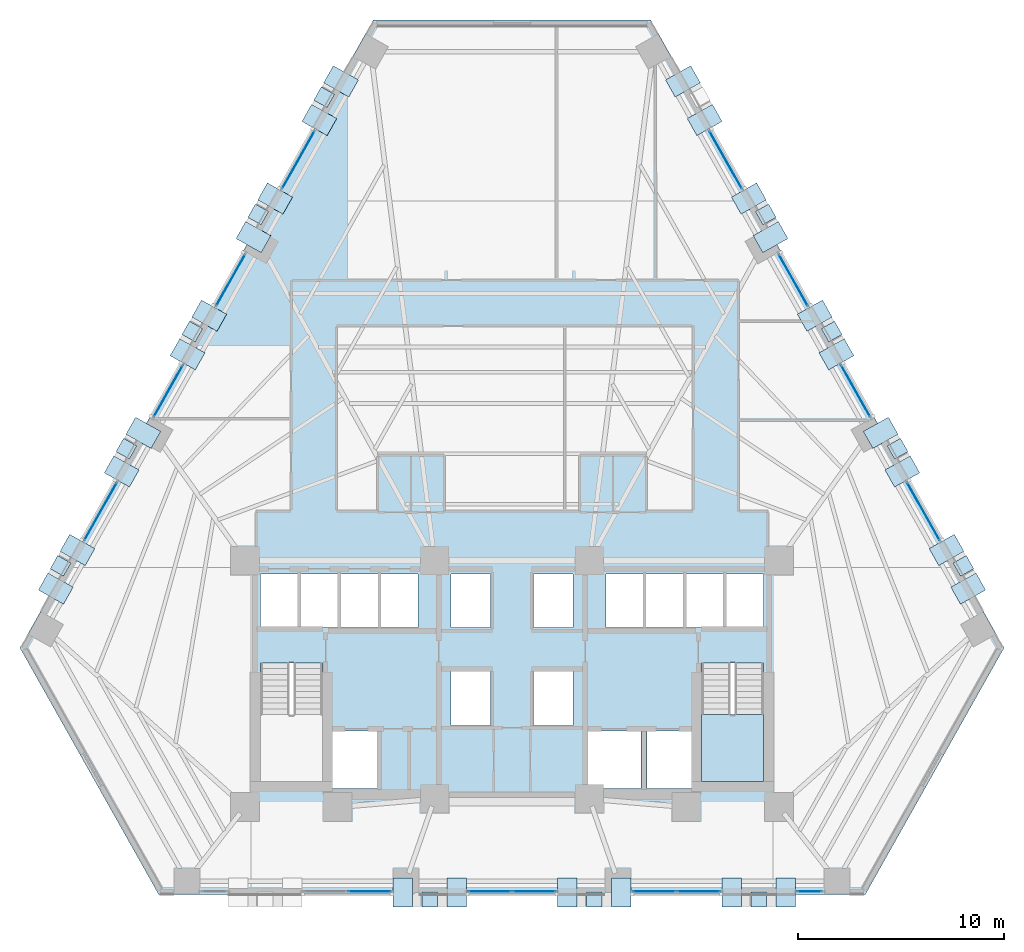
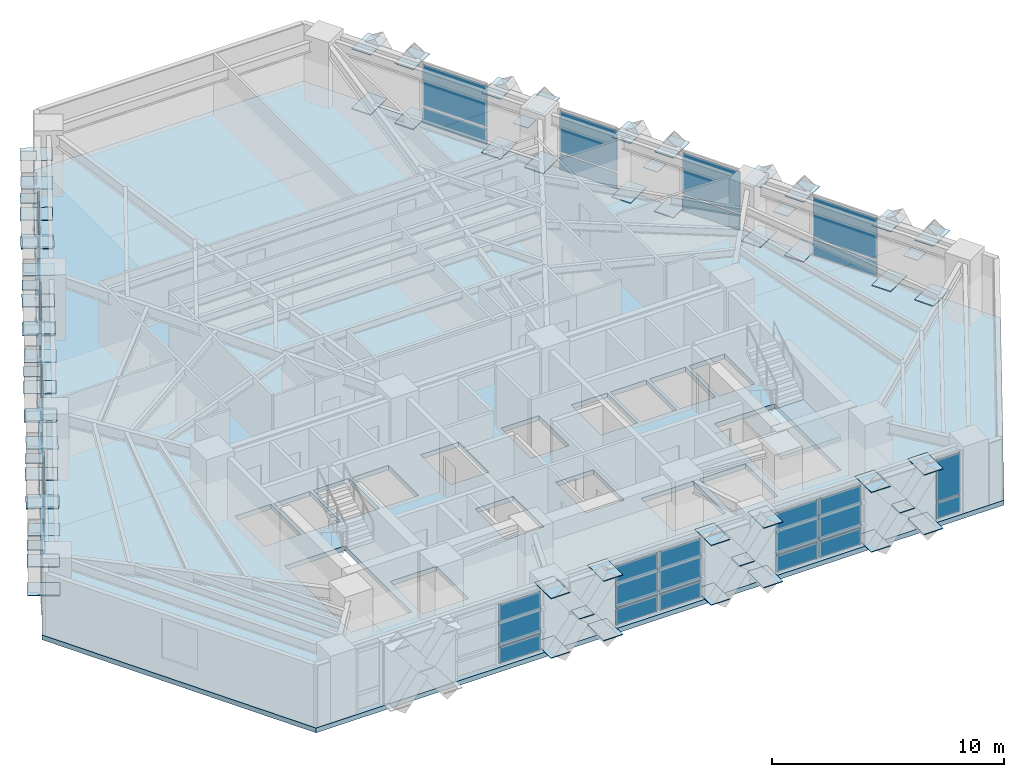
# One storey, part 6 of 13: 92 plates, 2 slabs, 13 elements without a shape of their own.
"""IFC4 building model written with IfcOpenShell, lengths in metres."""

from ifc_helpers import new_model, si_unit, direction, frame, origin, origin_2d, place, context, subcontext, project, spatial, polyline, rectangle, outline, extrude, material, layer, layer_set, type_object, element, aggregate, save


model = new_model("IFC4")

# Units and contexts
model_context = context("Model", 3, precision=1e-05, world=origin(), true_north=direction((0.0, 1.0)))
body_context = subcontext(model_context, "Body", "Model", "MODEL_VIEW")
ifc_project = project(units=[si_unit("LENGTHUNIT", "METRE"), si_unit("AREAUNIT", "SQUARE_METRE"), si_unit("VOLUMEUNIT", "CUBIC_METRE"), si_unit("PLANEANGLEUNIT", "RADIAN"), si_unit("MASSUNIT", "GRAM", prefix="KILO")], contexts=[model_context])

# Site, building, storey
site_placement = place(None, origin())
site = spatial("IfcSite", under=ifc_project, at=site_placement, CompositionType="ELEMENT")
building_placement = place(site_placement, origin())
building = spatial("IfcBuilding", under=site, at=building_placement, Name="Quenlor Broadcast Tower", CompositionType="ELEMENT")
storey_placement = place(building_placement, frame((0.0, 0.0, 52.10009765625)))
storey = spatial("IfcBuildingStorey", under=building, at=storey_placement, Name="L13", CompositionType="ELEMENT", Elevation=52.10009765625)

# Curtain wall, plates
ifc_material_1 = material(Name="Architectural Terracotta and Low-E Glazing", Category="masonry")
curtain_wall_type = type_object("IfcCurtainWallType", Name="Unitised Terracotta Curtain Wall System Z1", PredefinedType="NOTDEFINED", material=ifc_material_1)
curtain_wall_1_placement = place(storey_placement, origin())
curtain_wall_1 = element("IfcCurtainWall", 1, at=curtain_wall_1_placement, inside=storey, type_object=curtain_wall_type, Name="L13 Curtain Wall CW1 (L13-SA-G1)", PredefinedType="NOTDEFINED")
ifc_material_2 = material(Name="Double Glazed Low-E Solar Glass", Category="glass")
ifc_layer_1 = layer(ifc_material_2, 0.031982421875)
ifc_layer_set_1 = layer_set([ifc_layer_1], Name="CW1 Double Glazed Vision Panel 32")
plate_type_1 = type_object("IfcPlateType", Name="CW1 Double Glazed Vision Panel 32", PredefinedType="CURTAIN_PANEL", material=ifc_layer_set_1)
plate_1_placement = place(storey_placement, frame((14.44091796875, -20.840087890625, 0.079833984375), z_axis=(0.0, 0.0, 1.0), x_axis=(-1.0, 0.0, 0.0)))
plate_1 = element("IfcPlate", 2, at=plate_1_placement, type_object=plate_type_1, Name="CW1 panel 1.1", PredefinedType="CURTAIN_PANEL", context=body_context, shape_type="SweptSolid", body=[
    extrude(rectangle(XDim=1.188232421875, YDim=0.031982421875, at=origin_2d()), origin(), (0.0, 0.0, 1.0), 0.830078125),
])
plate_2_placement = place(storey_placement, frame((14.44091796875, -20.840087890625, 0.98974609375), z_axis=(0.0, 0.0, 1.0), x_axis=(-1.0, 0.0, 0.0)))
plate_2 = element("IfcPlate", 3, at=plate_2_placement, type_object=plate_type_1, Name="CW1 panel 1.2", PredefinedType="CURTAIN_PANEL", context=body_context, shape_type="SweptSolid", body=[
    extrude(rectangle(XDim=1.188232421875, YDim=0.031982421875, at=origin_2d()), origin(), (0.0, 0.0, 1.0), 2.179931640625),
])
aggregate(curtain_wall_1, [plate_1, plate_2])

curtain_wall_2_placement = place(storey_placement, origin())
curtain_wall_2 = element("IfcCurtainWall", 4, at=curtain_wall_2_placement, inside=storey, type_object=curtain_wall_type, Name="L13 Curtain Wall CW1 (L13-SA-G2)", PredefinedType="NOTDEFINED")
plate_3_placement = place(storey_placement, frame((9.058837890625, -20.840087890625, 0.079833984375), z_axis=(0.0, 0.0, 1.0), x_axis=(-1.0, 0.0, 0.0)))
plate_3 = element("IfcPlate", 5, at=plate_3_placement, type_object=plate_type_1, Name="CW1 panel 1.1", PredefinedType="CURTAIN_PANEL", context=body_context, shape_type="SweptSolid", body=[
    extrude(rectangle(XDim=2.072021484375, YDim=0.031982421875, at=origin_2d()), origin(), (0.0, 0.0, 1.0), 0.830078125),
])
plate_4_placement = place(storey_placement, frame((9.058837890625, -20.840087890625, 0.98974609375), z_axis=(0.0, 0.0, 1.0), x_axis=(-1.0, 0.0, 0.0)))
plate_4 = element("IfcPlate", 6, at=plate_4_placement, type_object=plate_type_1, Name="CW1 panel 1.2", PredefinedType="CURTAIN_PANEL", context=body_context, shape_type="SweptSolid", body=[
    extrude(rectangle(XDim=2.072021484375, YDim=0.031982421875, at=origin_2d()), origin(), (0.0, 0.0, 1.0), 2.179931640625),
])
plate_5_placement = place(storey_placement, frame((6.90673828125, -20.840087890625, 0.079833984375), z_axis=(0.0, 0.0, 1.0), x_axis=(-1.0, 0.0, 0.0)))
plate_5 = element("IfcPlate", 7, at=plate_5_placement, type_object=plate_type_1, Name="CW1 panel 2.1", PredefinedType="CURTAIN_PANEL", context=body_context, shape_type="SweptSolid", body=[
    extrude(rectangle(XDim=2.072021484375, YDim=0.031982421875, at=origin_2d()), origin(), (0.0, 0.0, 1.0), 0.830078125),
])
plate_6_placement = place(storey_placement, frame((6.90673828125, -20.840087890625, 0.98974609375), z_axis=(0.0, 0.0, 1.0), x_axis=(-1.0, 0.0, 0.0)))
plate_6 = element("IfcPlate", 8, at=plate_6_placement, type_object=plate_type_1, Name="CW1 panel 2.2", PredefinedType="CURTAIN_PANEL", context=body_context, shape_type="SweptSolid", body=[
    extrude(rectangle(XDim=2.072021484375, YDim=0.031982421875, at=origin_2d()), origin(), (0.0, 0.0, 1.0), 2.179931640625),
])
aggregate(curtain_wall_2, [plate_3, plate_4, plate_5, plate_6])

curtain_wall_3_placement = place(storey_placement, origin())
curtain_wall_3 = element("IfcCurtainWall", 9, at=curtain_wall_3_placement, inside=storey, type_object=curtain_wall_type, Name="L13 Curtain Wall CW1 (L13-SC-G1)", PredefinedType="NOTDEFINED")
plate_7_placement = place(storey_placement, frame((-6.90673828125, -20.840087890625, 0.079833984375), z_axis=(0.0, 0.0, 1.0), x_axis=(-1.0, 0.0, 0.0)))
plate_7 = element("IfcPlate", 10, at=plate_7_placement, type_object=plate_type_1, Name="CW1 panel 1.1", PredefinedType="CURTAIN_PANEL", context=body_context, shape_type="SweptSolid", body=[
    extrude(rectangle(XDim=2.072021484375, YDim=0.031982421875, at=origin_2d()), origin(), (0.0, 0.0, 1.0), 0.830078125),
])
plate_8_placement = place(storey_placement, frame((-6.90673828125, -20.840087890625, 0.98974609375), z_axis=(0.0, 0.0, 1.0), x_axis=(-1.0, 0.0, 0.0)))
plate_8 = element("IfcPlate", 11, at=plate_8_placement, type_object=plate_type_1, Name="CW1 panel 1.2", PredefinedType="CURTAIN_PANEL", context=body_context, shape_type="SweptSolid", body=[
    extrude(rectangle(XDim=2.072021484375, YDim=0.031982421875, at=origin_2d()), origin(), (0.0, 0.0, 1.0), 2.179931640625),
])
aggregate(curtain_wall_3, [plate_7, plate_8])

curtain_wall_4_placement = place(storey_placement, origin())
curtain_wall_4 = element("IfcCurtainWall", 12, at=curtain_wall_4_placement, inside=storey, type_object=curtain_wall_type, Name="L13 Curtain Wall CW1 (L13-S-G1)", PredefinedType="NOTDEFINED")
plate_9_placement = place(storey_placement, frame((1.0771484375, -20.840087890625, 0.079833984375), z_axis=(0.0, 0.0, 1.0), x_axis=(-1.0, 0.0, 0.0)))
plate_9 = element("IfcPlate", 13, at=plate_9_placement, type_object=plate_type_1, Name="CW1 panel 1.1", PredefinedType="CURTAIN_PANEL", context=body_context, shape_type="SweptSolid", body=[
    extrude(rectangle(XDim=2.07421875, YDim=0.031982421875, at=origin_2d()), origin(), (0.0, 0.0, 1.0), 0.830078125),
])
plate_10_placement = place(storey_placement, frame((1.0771484375, -20.840087890625, 0.98974609375), z_axis=(0.0, 0.0, 1.0), x_axis=(-1.0, 0.0, 0.0)))
plate_10 = element("IfcPlate", 14, at=plate_10_placement, type_object=plate_type_1, Name="CW1 panel 1.2", PredefinedType="CURTAIN_PANEL", context=body_context, shape_type="SweptSolid", body=[
    extrude(rectangle(XDim=2.07421875, YDim=0.031982421875, at=origin_2d()), origin(), (0.0, 0.0, 1.0), 2.179931640625),
])
plate_11_placement = place(storey_placement, frame((-1.0771484375, -20.840087890625, 0.079833984375), z_axis=(0.0, 0.0, 1.0), x_axis=(-1.0, 0.0, 0.0)))
plate_11 = element("IfcPlate", 15, at=plate_11_placement, type_object=plate_type_1, Name="CW1 panel 2.1", PredefinedType="CURTAIN_PANEL", context=body_context, shape_type="SweptSolid", body=[
    extrude(rectangle(XDim=2.07421875, YDim=0.031982421875, at=origin_2d()), origin(), (0.0, 0.0, 1.0), 0.830078125),
])
plate_12_placement = place(storey_placement, frame((-1.0771484375, -20.840087890625, 0.98974609375), z_axis=(0.0, 0.0, 1.0), x_axis=(-1.0, 0.0, 0.0)))
plate_12 = element("IfcPlate", 16, at=plate_12_placement, type_object=plate_type_1, Name="CW1 panel 2.2", PredefinedType="CURTAIN_PANEL", context=body_context, shape_type="SweptSolid", body=[
    extrude(rectangle(XDim=2.07421875, YDim=0.031982421875, at=origin_2d()), origin(), (0.0, 0.0, 1.0), 2.179931640625),
])
aggregate(curtain_wall_4, [plate_9, plate_10, plate_11, plate_12])

curtain_wall_5_placement = place(storey_placement, origin())
curtain_wall_5 = element("IfcCurtainWall", 17, at=curtain_wall_5_placement, inside=storey, type_object=curtain_wall_type, Name="L13 Curtain Wall CW1 (L13-NEA-G1)", PredefinedType="NOTDEFINED")
plate_13_placement = place(storey_placement, frame((10.365234375, 14.646240234375, 0.079833984375), z_axis=(0.0, 0.0, 1.0), x_axis=(0.49024438836, -0.871585015751, 0.0)))
plate_13 = element("IfcPlate", 18, at=plate_13_placement, type_object=plate_type_1, Name="CW1 panel 1.1", PredefinedType="CURTAIN_PANEL", context=body_context, shape_type="SweptSolid", body=[
    extrude(rectangle(XDim=3.220947265625, YDim=0.031982421875, at=origin_2d()), origin(), (0.0, 0.0, 1.0), 0.830078125),
])
plate_14_placement = place(storey_placement, frame((10.365234375, 14.646240234375, 0.98974609375), z_axis=(0.0, 0.0, 1.0), x_axis=(0.49024438836, -0.871585015751, 0.0)))
plate_14 = element("IfcPlate", 19, at=plate_14_placement, type_object=plate_type_1, Name="CW1 panel 1.2", PredefinedType="CURTAIN_PANEL", context=body_context, shape_type="SweptSolid", body=[
    extrude(rectangle(XDim=3.220947265625, YDim=0.031982421875, at=origin_2d()), origin(), (0.0, 0.0, 1.0), 2.179931640625),
])
aggregate(curtain_wall_5, [plate_13, plate_14])

curtain_wall_6_placement = place(storey_placement, origin())
curtain_wall_6 = element("IfcCurtainWall", 20, at=curtain_wall_6_placement, inside=storey, type_object=curtain_wall_type, Name="L13 Curtain Wall CW1 (L13-NEC-G1)", PredefinedType="NOTDEFINED")
plate_15_placement = place(storey_placement, frame((19.95556640625, -2.403076171875, 0.079833984375), z_axis=(0.0, 0.0, 1.0), x_axis=(0.49025702672, -0.871577906875, 0.0)))
plate_15 = element("IfcPlate", 21, at=plate_15_placement, type_object=plate_type_1, Name="CW1 panel 1.1", PredefinedType="CURTAIN_PANEL", context=body_context, shape_type="SweptSolid", body=[
    extrude(rectangle(XDim=3.220947265625, YDim=0.031982421875, at=origin_2d()), origin(), (0.0, 0.0, 1.0), 0.830078125),
])
plate_16_placement = place(storey_placement, frame((19.95556640625, -2.403076171875, 0.98974609375), z_axis=(0.0, 0.0, 1.0), x_axis=(0.49025702672, -0.871577906875, 0.0)))
plate_16 = element("IfcPlate", 22, at=plate_16_placement, type_object=plate_type_1, Name="CW1 panel 1.2", PredefinedType="CURTAIN_PANEL", context=body_context, shape_type="SweptSolid", body=[
    extrude(rectangle(XDim=3.220947265625, YDim=0.031982421875, at=origin_2d()), origin(), (0.0, 0.0, 1.0), 2.179931640625),
])
aggregate(curtain_wall_6, [plate_15, plate_16])

curtain_wall_7_placement = place(storey_placement, origin())
curtain_wall_7 = element("IfcCurtainWall", 23, at=curtain_wall_7_placement, inside=storey, type_object=curtain_wall_type, Name="L13 Curtain Wall CW1 (L13-NE-G1)", PredefinedType="NOTDEFINED")
plate_17_placement = place(storey_placement, frame((13.648681640625, 8.809326171875, 0.079833984375), z_axis=(0.0, 0.0, 1.0), x_axis=(0.490273782815, -0.871568481465, 0.0)))
plate_17 = element("IfcPlate", 24, at=plate_17_placement, type_object=plate_type_1, Name="CW1 panel 1.1", PredefinedType="CURTAIN_PANEL", context=body_context, shape_type="SweptSolid", body=[
    extrude(rectangle(XDim=2.8681640625, YDim=0.031982421875, at=origin_2d()), origin(), (0.0, 0.0, 1.0), 0.830078125),
])
plate_18_placement = place(storey_placement, frame((13.648681640625, 8.809326171875, 0.98974609375), z_axis=(0.0, 0.0, 1.0), x_axis=(0.490273782815, -0.871568481465, 0.0)))
plate_18 = element("IfcPlate", 25, at=plate_18_placement, type_object=plate_type_1, Name="CW1 panel 1.2", PredefinedType="CURTAIN_PANEL", context=body_context, shape_type="SweptSolid", body=[
    extrude(rectangle(XDim=2.8681640625, YDim=0.031982421875, at=origin_2d()), origin(), (0.0, 0.0, 1.0), 2.179931640625),
])
aggregate(curtain_wall_7, [plate_17, plate_18])

curtain_wall_8_placement = place(storey_placement, origin())
curtain_wall_8 = element("IfcCurtainWall", 26, at=curtain_wall_8_placement, inside=storey, type_object=curtain_wall_type, Name="L13 Curtain Wall CW1 (L13-NE-G2)", PredefinedType="NOTDEFINED")
plate_19_placement = place(storey_placement, frame((16.67236328125, 3.433837890625, 0.079833984375), z_axis=(0.0, 0.0, 1.0), x_axis=(0.490273782815, -0.871568481465, 0.0)))
plate_19 = element("IfcPlate", 27, at=plate_19_placement, type_object=plate_type_1, Name="CW1 panel 1.1", PredefinedType="CURTAIN_PANEL", context=body_context, shape_type="SweptSolid", body=[
    extrude(rectangle(XDim=2.8681640625, YDim=0.031982421875, at=origin_2d()), origin(), (0.0, 0.0, 1.0), 0.830078125),
])
plate_20_placement = place(storey_placement, frame((16.67236328125, 3.433837890625, 0.98974609375), z_axis=(0.0, 0.0, 1.0), x_axis=(0.490273782815, -0.871568481465, 0.0)))
plate_20 = element("IfcPlate", 28, at=plate_20_placement, type_object=plate_type_1, Name="CW1 panel 1.2", PredefinedType="CURTAIN_PANEL", context=body_context, shape_type="SweptSolid", body=[
    extrude(rectangle(XDim=2.8681640625, YDim=0.031982421875, at=origin_2d()), origin(), (0.0, 0.0, 1.0), 2.179931640625),
])
aggregate(curtain_wall_8, [plate_19, plate_20])

curtain_wall_9_placement = place(storey_placement, origin())
curtain_wall_9 = element("IfcCurtainWall", 29, at=curtain_wall_9_placement, inside=storey, type_object=curtain_wall_type, Name="L13 Curtain Wall CW1 (L13-NWA-G1)", PredefinedType="NOTDEFINED")
plate_21_placement = place(storey_placement, frame((-19.95556640625, -2.403076171875, 0.079833984375), z_axis=(0.0, 0.0, 1.0), x_axis=(0.49025702672, 0.871577906875, 0.0)))
plate_21 = element("IfcPlate", 30, at=plate_21_placement, type_object=plate_type_1, Name="CW1 panel 1.1", PredefinedType="CURTAIN_PANEL", context=body_context, shape_type="SweptSolid", body=[
    extrude(rectangle(XDim=3.220947265625, YDim=0.031982421875, at=origin_2d()), origin(), (0.0, 0.0, 1.0), 0.830078125),
])
plate_22_placement = place(storey_placement, frame((-19.95556640625, -2.403076171875, 0.98974609375), z_axis=(0.0, 0.0, 1.0), x_axis=(0.49025702672, 0.871577906875, 0.0)))
plate_22 = element("IfcPlate", 31, at=plate_22_placement, type_object=plate_type_1, Name="CW1 panel 1.2", PredefinedType="CURTAIN_PANEL", context=body_context, shape_type="SweptSolid", body=[
    extrude(rectangle(XDim=3.220947265625, YDim=0.031982421875, at=origin_2d()), origin(), (0.0, 0.0, 1.0), 2.179931640625),
])
aggregate(curtain_wall_9, [plate_21, plate_22])

curtain_wall_10_placement = place(storey_placement, origin())
curtain_wall_10 = element("IfcCurtainWall", 32, at=curtain_wall_10_placement, inside=storey, type_object=curtain_wall_type, Name="L13 Curtain Wall CW1 (L13-NWC-G1)", PredefinedType="NOTDEFINED")
plate_23_placement = place(storey_placement, frame((-10.365234375, 14.646240234375, 0.079833984375), z_axis=(0.0, 0.0, 1.0), x_axis=(0.49024438836, 0.871585015751, 0.0)))
plate_23 = element("IfcPlate", 33, at=plate_23_placement, type_object=plate_type_1, Name="CW1 panel 1.1", PredefinedType="CURTAIN_PANEL", context=body_context, shape_type="SweptSolid", body=[
    extrude(rectangle(XDim=3.220947265625, YDim=0.031982421875, at=origin_2d()), origin(), (0.0, 0.0, 1.0), 0.830078125),
])
plate_24_placement = place(storey_placement, frame((-10.365234375, 14.646240234375, 0.98974609375), z_axis=(0.0, 0.0, 1.0), x_axis=(0.49024438836, 0.871585015751, 0.0)))
plate_24 = element("IfcPlate", 34, at=plate_24_placement, type_object=plate_type_1, Name="CW1 panel 1.2", PredefinedType="CURTAIN_PANEL", context=body_context, shape_type="SweptSolid", body=[
    extrude(rectangle(XDim=3.220947265625, YDim=0.031982421875, at=origin_2d()), origin(), (0.0, 0.0, 1.0), 2.179931640625),
])
aggregate(curtain_wall_10, [plate_23, plate_24])

curtain_wall_11_placement = place(storey_placement, origin())
curtain_wall_11 = element("IfcCurtainWall", 35, at=curtain_wall_11_placement, inside=storey, type_object=curtain_wall_type, Name="L13 Curtain Wall CW1 (L13-NW-G1)", PredefinedType="NOTDEFINED")
plate_25_placement = place(storey_placement, frame((-16.67236328125, 3.433837890625, 0.079833984375), z_axis=(0.0, 0.0, 1.0), x_axis=(0.490273782815, 0.871568481465, 0.0)))
plate_25 = element("IfcPlate", 36, at=plate_25_placement, type_object=plate_type_1, Name="CW1 panel 1.1", PredefinedType="CURTAIN_PANEL", context=body_context, shape_type="SweptSolid", body=[
    extrude(rectangle(XDim=2.8681640625, YDim=0.031982421875, at=origin_2d()), origin(), (0.0, 0.0, 1.0), 0.830078125),
])
plate_26_placement = place(storey_placement, frame((-16.67236328125, 3.433837890625, 0.98974609375), z_axis=(0.0, 0.0, 1.0), x_axis=(0.490273782815, 0.871568481465, 0.0)))
plate_26 = element("IfcPlate", 37, at=plate_26_placement, type_object=plate_type_1, Name="CW1 panel 1.2", PredefinedType="CURTAIN_PANEL", context=body_context, shape_type="SweptSolid", body=[
    extrude(rectangle(XDim=2.8681640625, YDim=0.031982421875, at=origin_2d()), origin(), (0.0, 0.0, 1.0), 2.179931640625),
])
aggregate(curtain_wall_11, [plate_25, plate_26])

curtain_wall_12_placement = place(storey_placement, origin())
curtain_wall_12 = element("IfcCurtainWall", 38, at=curtain_wall_12_placement, inside=storey, type_object=curtain_wall_type, Name="L13 Curtain Wall CW1 (L13-NW-G2)", PredefinedType="NOTDEFINED")
plate_27_placement = place(storey_placement, frame((-13.648681640625, 8.809326171875, 0.079833984375), z_axis=(0.0, 0.0, 1.0), x_axis=(0.490273782815, 0.871568481465, 0.0)))
plate_27 = element("IfcPlate", 39, at=plate_27_placement, type_object=plate_type_1, Name="CW1 panel 1.1", PredefinedType="CURTAIN_PANEL", context=body_context, shape_type="SweptSolid", body=[
    extrude(rectangle(XDim=2.8681640625, YDim=0.031982421875, at=origin_2d()), origin(), (0.0, 0.0, 1.0), 0.830078125),
])
plate_28_placement = place(storey_placement, frame((-13.648681640625, 8.809326171875, 0.98974609375), z_axis=(0.0, 0.0, 1.0), x_axis=(0.490273782815, 0.871568481465, 0.0)))
plate_28 = element("IfcPlate", 40, at=plate_28_placement, type_object=plate_type_1, Name="CW1 panel 1.2", PredefinedType="CURTAIN_PANEL", context=body_context, shape_type="SweptSolid", body=[
    extrude(rectangle(XDim=2.8681640625, YDim=0.031982421875, at=origin_2d()), origin(), (0.0, 0.0, 1.0), 2.179931640625),
])
aggregate(curtain_wall_12, [plate_27, plate_28])

# Plates
ifc_material_3 = material(Name="Steel S355", Category="steel")
ifc_layer_2 = layer(ifc_material_3, 0.028076171875)
ifc_layer_set_2 = layer_set([ifc_layer_2], Name="Perimeter Lattice Node Steel S355 Cap Plate 740x740x28")
plate_type_2 = type_object("IfcPlateType", Name="Perimeter Lattice Node Steel S355 Cap Plate 740x740x28", PredefinedType="USERDEFINED", material=ifc_layer_set_2)
for number, where, z_axis, x_axis, name in (
    (41, (11.970703125, -21.235107421875, 1.61572265625), (0.0, 0.0, 1.0), (-1.0, 0.0, 0.0), "L13 Diamond Lattice Crossing Node S-C1"),
    (42, (3.990234375, -21.235107421875, 1.61572265625), (0.0, 0.0, 1.0), (-1.0, 0.0, 0.0), "L13 Diamond Lattice Crossing Node S-C2"),
    (43, (-3.990234375, -21.235107421875, 1.61572265625), (0.0, 0.0, 1.0), (-1.0, 0.0, 0.0), "L13 Diamond Lattice Crossing Node S-C3"),
    (44, (12.30810546875, 11.998291015625, 1.61572265625), (0.0, 0.0, 1.0), (0.490295412055, -0.871556314255, 0.0), "L13 Diamond Lattice Crossing Node NE-C2"),
    (45, (15.5048828125, 6.315185546875, 1.61572265625), (0.0, 0.0, 1.0), (0.490295412055, -0.871556314255, 0.0), "L13 Diamond Lattice Crossing Node NE-C3"),
    (46, (18.70166015625, 0.632080078125, 1.61572265625), (0.0, 0.0, 1.0), (0.490295412055, -0.871556314255, 0.0), "L13 Diamond Lattice Crossing Node NE-C4"),
    (47, (21.898193359375, -5.051025390625, 1.61572265625), (0.0, 0.0, 1.0), (0.490295412055, -0.871556314255, 0.0), "L13 Diamond Lattice Crossing Node NE-C5"),
    (48, (-21.898193359375, -5.051025390625, 1.61572265625), (0.0, 0.0, 1.0), (0.490295412055, 0.871556314255, 0.0), "L13 Diamond Lattice Crossing Node NW-C1"),
    (49, (-18.70166015625, 0.632080078125, 1.61572265625), (0.0, 0.0, 1.0), (0.490295412055, 0.871556314255, 0.0), "L13 Diamond Lattice Crossing Node NW-C2"),
    (50, (-15.5048828125, 6.315185546875, 1.61572265625), (0.0, 0.0, 1.0), (0.490295412055, 0.871556314255, 0.0), "L13 Diamond Lattice Crossing Node NW-C3"),
    (51, (-12.30810546875, 11.998291015625, 1.61572265625), (0.0, 0.0, 1.0), (0.490295412055, 0.871556314255, 0.0), "L13 Diamond Lattice Crossing Node NW-C4"),
    (52, (-9.111083984375, 17.681640625, 1.61572265625), (0.0, 0.0, 1.0), (0.490295412055, 0.871556314255, 0.0), "L13 Diamond Lattice Crossing Node NW-C5"),
):
    element("IfcPlate", number, at=place(storey_placement, frame(where, z_axis=z_axis, x_axis=x_axis)), inside=storey, type_object=plate_type_2, Name=name, ObjectType="CAP PLATE", PredefinedType="USERDEFINED", context=body_context, shape_type="SweptSolid", body=[
        extrude(rectangle(XDim=0.739990234375, YDim=0.739990234375, at=origin_2d()), origin(), (0.0, 0.0, 1.0), 0.028076171875),
    ])

# Stair, slab
ifc_material_4 = material(Name="Precast concrete C40/50", Category="concrete")
stair_type = type_object("IfcStairType", Name="Precast Concrete C40/50 Dogleg Stair H350", PredefinedType="HALF_TURN_STAIR", material=ifc_material_4)
stair_placement = place(storey_placement, origin())
stair = element("IfcStair", 53, at=stair_placement, inside=storey, type_object=stair_type, Name="L13 East Core Fire-Isolated Exit Stair ST-2", PredefinedType="HALF_TURN_STAIR")
ifc_material_5 = material(Name="Precast concrete C40/50", Category="concrete")
ifc_layer_3 = layer(ifc_material_5, 0.199951171875)
ifc_layer_set_3 = layer_set([ifc_layer_3], Name="Precast Concrete C40/50 Stair Landing Slab 200")
slab_type_1 = type_object("IfcSlabType", Name="Precast Concrete C40/50 Stair Landing Slab 200", PredefinedType="LANDING", material=ifc_layer_set_3)
slab_1_placement = place(storey_placement, frame((0.0, 0.0, 1.5498046875)))
slab_1 = element("IfcSlab", 54, at=slab_1_placement, type_object=slab_type_1, Name="ST-2 landing 1", PredefinedType="LANDING", context=body_context, shape_type="SweptSolid", body=[
    extrude(outline(polyline([(9.199951171875, -12.27001953125), (9.199951171875, -15.5), (12.199951171875, -15.5), (12.199951171875, -12.27001953125), (9.199951171875, -12.27001953125)])), origin(), (0.0, 0.0, 1.0), 0.2001953125),
])
aggregate(stair, [slab_1])

# Slab
ifc_material_6 = material(Name="Concrete C40/50", Category="concrete")
ifc_layer_4 = layer(ifc_material_6, 0.25)
ifc_layer_set_4 = layer_set([ifc_layer_4], Name="Tower Composite Concrete C40/50 Slab 250")
slab_type_2 = type_object("IfcSlabType", Name="Tower Composite Concrete C40/50 Slab 250", PredefinedType="FLOOR", material=ifc_layer_set_4)
slab_2_placement = place(storey_placement, frame((0.0, 0.0, -0.25)))
element("IfcSlab", 55, at=slab_2_placement, inside=storey, type_object=slab_type_2, Name="L13 Structural Floor Slab", PredefinedType="FLOOR", context=body_context, shape_type="SweptSolid", body=[
    extrude(outline(polyline([(17.135986328125, -21.0), (23.867919921875, -9.031982421875), (6.73193359375, 21.431884765625), (-6.73193359375, 21.431884765625), (-23.867919921875, -9.031982421875), (-17.135986328125, -21.0), (17.135986328125, -21.0)]), holes=[polyline([(-12.199951171875, -9.758056640625), (-12.199951171875, -15.5), (-9.199951171875, -15.5), (-9.199951171875, -9.758056640625), (-12.199951171875, -9.758056640625)]), polyline([(9.199951171875, -9.758056640625), (9.199951171875, -15.5), (12.199951171875, -15.5), (12.199951171875, -9.758056640625), (9.199951171875, -9.758056640625)]), polyline([(-12.199951171875, -8.050048828125), (-10.39990234375, -8.050048828125), (-10.39990234375, -5.449951171875), (-12.199951171875, -5.449951171875), (-12.199951171875, -8.050048828125)]), polyline([(-10.25, -8.050048828125), (-8.449951171875, -8.050048828125), (-8.449951171875, -5.449951171875), (-10.25, -5.449951171875), (-10.25, -8.050048828125)]), polyline([(-8.300048828125, -8.050048828125), (-6.5, -8.050048828125), (-6.5, -5.449951171875), (-8.300048828125, -5.449951171875), (-8.300048828125, -8.050048828125)]), polyline([(-6.35009765625, -8.050048828125), (-4.550048828125, -8.050048828125), (-4.550048828125, -5.449951171875), (-6.35009765625, -5.449951171875), (-6.35009765625, -8.050048828125)]), polyline([(-2.949951171875, -8.050048828125), (-1.050048828125, -8.050048828125), (-1.050048828125, -5.449951171875), (-2.949951171875, -5.449951171875), (-2.949951171875, -8.050048828125)]), polyline([(1.050048828125, -8.050048828125), (2.949951171875, -8.050048828125), (2.949951171875, -5.449951171875), (1.050048828125, -5.449951171875), (1.050048828125, -8.050048828125)]), polyline([(-2.949951171875, -12.800048828125), (-1.050048828125, -12.800048828125), (-1.050048828125, -10.14990234375), (-2.949951171875, -10.14990234375), (-2.949951171875, -12.800048828125)]), polyline([(1.050048828125, -12.800048828125), (2.949951171875, -12.800048828125), (2.949951171875, -10.14990234375), (1.050048828125, -10.14990234375), (1.050048828125, -12.800048828125)]), polyline([(4.550048828125, -8.050048828125), (6.35009765625, -8.050048828125), (6.35009765625, -5.449951171875), (4.550048828125, -5.449951171875), (4.550048828125, -8.050048828125)]), polyline([(6.5, -8.050048828125), (8.300048828125, -8.050048828125), (8.300048828125, -5.449951171875), (6.5, -5.449951171875), (6.5, -8.050048828125)]), polyline([(8.449951171875, -8.050048828125), (10.25, -8.050048828125), (10.25, -5.449951171875), (8.449951171875, -5.449951171875), (8.449951171875, -8.050048828125)]), polyline([(10.39990234375, -8.050048828125), (12.199951171875, -8.050048828125), (12.199951171875, -5.449951171875), (10.39990234375, -5.449951171875), (10.39990234375, -8.050048828125)]), polyline([(-8.85009765625, -15.85009765625), (-6.550048828125, -15.85009765625), (-6.550048828125, -13.050048828125), (-8.85009765625, -13.050048828125), (-8.85009765625, -15.85009765625)]), polyline([(6.550048828125, -15.85009765625), (8.85009765625, -15.85009765625), (8.85009765625, -13.050048828125), (6.550048828125, -13.050048828125), (6.550048828125, -15.85009765625)]), polyline([(3.64990234375, -15.85009765625), (6.25, -15.85009765625), (6.25, -13.050048828125), (3.64990234375, -13.050048828125), (3.64990234375, -15.85009765625)])]), origin(), (0.0, 0.0, 1.0), 0.25),
])

# Plates
ifc_material_7 = material(Name="Steel S355", Category="steel")
ifc_layer_5 = layer(ifc_material_7, 0.035888671875)
ifc_layer_set_5 = layer_set([ifc_layer_5], Name="Transfer Truss Steel S355 Gusset Node Plate 1400x950x36")
plate_type_3 = type_object("IfcPlateType", Name="Transfer Truss Steel S355 Gusset Node Plate 1400x950x36", PredefinedType="SHEET", material=ifc_layer_set_5)
for number, where, z_axis, x_axis, name in (
    (56, (13.284912109375, -20.89990234375, 0.0419921875), (0.0, 0.0, 1.0), (0.0, -1.0, 0.0), "L13 Lattice Tie Gusset Node S-B1"),
    (57, (10.656494140625, -20.89990234375, 3.18212890625), (0.0, 0.0, 1.0), (0.0, -1.0, 0.0), "L13 Lattice Tie Gusset Node S-T2"),
    (58, (10.656494140625, -20.89990234375, 0.0419921875), (0.0, 0.0, 1.0), (0.0, -1.0, 0.0), "L13 Lattice Tie Gusset Node S-B2"),
    (59, (13.284912109375, -20.89990234375, 3.18212890625), (0.0, 0.0, 1.0), (0.0, -1.0, 0.0), "L13 Lattice Tie Gusset Node S-T1"),
    (60, (5.304443359375, -20.89990234375, 0.0419921875), (0.0, 0.0, 1.0), (0.0, -1.0, 0.0), "L13 Lattice Tie Gusset Node S-B4"),
    (61, (2.676025390625, -20.89990234375, 3.18212890625), (0.0, 0.0, 1.0), (0.0, -1.0, 0.0), "L13 Lattice Tie Gusset Node S-T5"),
    (62, (2.676025390625, -20.89990234375, 0.0419921875), (0.0, 0.0, 1.0), (0.0, -1.0, 0.0), "L13 Lattice Tie Gusset Node S-B5"),
    (63, (5.304443359375, -20.89990234375, 3.18212890625), (0.0, 0.0, 1.0), (0.0, -1.0, 0.0), "L13 Lattice Tie Gusset Node S-T4"),
    (64, (-2.676025390625, -20.89990234375, 0.0419921875), (0.0, 0.0, 1.0), (0.0, -1.0, 0.0), "L13 Lattice Tie Gusset Node S-B7"),
    (65, (-5.304443359375, -20.89990234375, 3.18212890625), (0.0, 0.0, 1.0), (0.0, -1.0, 0.0), "L13 Lattice Tie Gusset Node S-T8"),
    (66, (-5.304443359375, -20.89990234375, 0.0419921875), (0.0, 0.0, 1.0), (0.0, -1.0, 0.0), "L13 Lattice Tie Gusset Node S-B8"),
    (67, (-2.676025390625, -20.89990234375, 3.18212890625), (0.0, 0.0, 1.0), (0.0, -1.0, 0.0), "L13 Lattice Tie Gusset Node S-T7"),
    (68, (8.292724609375, 18.453125, 0.0419921875), (0.0, 0.0, 1.0), (0.871556314255, 0.490295412055, 0.0), "L13 Lattice Tie Gusset Node NE-B1"),
    (69, (9.345703125, 16.58154296875, 3.18212890625), (0.0, 0.0, 1.0), (0.871556314255, 0.490295412055, 0.0), "L13 Lattice Tie Gusset Node NE-T2"),
    (70, (9.345703125, 16.58154296875, 0.0419921875), (0.0, 0.0, 1.0), (0.871556314255, 0.490295412055, 0.0), "L13 Lattice Tie Gusset Node NE-B2"),
    (71, (8.292724609375, 18.453125, 3.18212890625), (0.0, 0.0, 1.0), (0.871556314255, 0.490295412055, 0.0), "L13 Lattice Tie Gusset Node NE-T1"),
    (72, (11.489501953125, 12.77001953125, 0.0419921875), (0.0, 0.0, 1.0), (0.871556314255, 0.490295412055, 0.0), "L13 Lattice Tie Gusset Node NE-B4"),
    (73, (12.54248046875, 10.898193359375, 3.18212890625), (0.0, 0.0, 1.0), (0.871556314255, 0.490295412055, 0.0), "L13 Lattice Tie Gusset Node NE-T5"),
    (74, (12.54248046875, 10.898193359375, 0.0419921875), (0.0, 0.0, 1.0), (0.871556314255, 0.490295412055, 0.0), "L13 Lattice Tie Gusset Node NE-B5"),
    (75, (11.489501953125, 12.77001953125, 3.18212890625), (0.0, 0.0, 1.0), (0.871556314255, 0.490295412055, 0.0), "L13 Lattice Tie Gusset Node NE-T4"),
    (76, (14.686279296875, 7.0869140625, 0.0419921875), (0.0, 0.0, 1.0), (0.871556314255, 0.490295412055, 0.0), "L13 Lattice Tie Gusset Node NE-B7"),
    (77, (15.7392578125, 5.215087890625, 3.18212890625), (0.0, 0.0, 1.0), (0.871556314255, 0.490295412055, 0.0), "L13 Lattice Tie Gusset Node NE-T8"),
    (78, (15.7392578125, 5.215087890625, 0.0419921875), (0.0, 0.0, 1.0), (0.871556314255, 0.490295412055, 0.0), "L13 Lattice Tie Gusset Node NE-B8"),
    (79, (14.686279296875, 7.0869140625, 3.18212890625), (0.0, 0.0, 1.0), (0.871556314255, 0.490295412055, 0.0), "L13 Lattice Tie Gusset Node NE-T7"),
    (80, (17.88330078125, 1.40380859375, 0.0419921875), (0.0, 0.0, 1.0), (0.871556314255, 0.490295412055, 0.0), "L13 Lattice Tie Gusset Node NE-B10"),
    (81, (18.93603515625, -0.468017578125, 3.18212890625), (0.0, 0.0, 1.0), (0.871556314255, 0.490295412055, 0.0), "L13 Lattice Tie Gusset Node NE-T11"),
    (82, (18.93603515625, -0.468017578125, 0.0419921875), (0.0, 0.0, 1.0), (0.871556314255, 0.490295412055, 0.0), "L13 Lattice Tie Gusset Node NE-B11"),
    (83, (17.88330078125, 1.40380859375, 3.18212890625), (0.0, 0.0, 1.0), (0.871556314255, 0.490295412055, 0.0), "L13 Lattice Tie Gusset Node NE-T10"),
    (84, (21.079833984375, -4.279541015625, 0.0419921875), (0.0, 0.0, 1.0), (0.871556314255, 0.490295412055, 0.0), "L13 Lattice Tie Gusset Node NE-B13"),
    (85, (22.1328125, -6.151123046875, 3.18212890625), (0.0, 0.0, 1.0), (0.871556314255, 0.490295412055, 0.0), "L13 Lattice Tie Gusset Node NE-T14"),
    (86, (22.1328125, -6.151123046875, 0.0419921875), (0.0, 0.0, 1.0), (0.871556314255, 0.490295412055, 0.0), "L13 Lattice Tie Gusset Node NE-B14"),
    (87, (21.079833984375, -4.279541015625, 3.18212890625), (0.0, 0.0, 1.0), (0.871556314255, 0.490295412055, 0.0), "L13 Lattice Tie Gusset Node NE-T13"),
    (88, (-22.1328125, -6.151123046875, 0.0419921875), (0.0, 0.0, 1.0), (-0.871556314255, 0.490295412055, 0.0), "L13 Lattice Tie Gusset Node NW-B1"),
    (89, (-21.079833984375, -4.279541015625, 3.18212890625), (0.0, 0.0, 1.0), (-0.871556314255, 0.490295412055, 0.0), "L13 Lattice Tie Gusset Node NW-T2"),
    (90, (-21.079833984375, -4.279541015625, 0.0419921875), (0.0, 0.0, 1.0), (-0.871556314255, 0.490295412055, 0.0), "L13 Lattice Tie Gusset Node NW-B2"),
    (91, (-22.1328125, -6.151123046875, 3.18212890625), (0.0, 0.0, 1.0), (-0.871556314255, 0.490295412055, 0.0), "L13 Lattice Tie Gusset Node NW-T1"),
    (92, (-18.93603515625, -0.468017578125, 0.0419921875), (0.0, 0.0, 1.0), (-0.871556314255, 0.490295412055, 0.0), "L13 Lattice Tie Gusset Node NW-B4"),
    (93, (-17.88330078125, 1.40380859375, 3.18212890625), (0.0, 0.0, 1.0), (-0.871556314255, 0.490295412055, 0.0), "L13 Lattice Tie Gusset Node NW-T5"),
    (94, (-17.88330078125, 1.40380859375, 0.0419921875), (0.0, 0.0, 1.0), (-0.871556314255, 0.490295412055, 0.0), "L13 Lattice Tie Gusset Node NW-B5"),
    (95, (-18.93603515625, -0.468017578125, 3.18212890625), (0.0, 0.0, 1.0), (-0.871556314255, 0.490295412055, 0.0), "L13 Lattice Tie Gusset Node NW-T4"),
    (96, (-15.7392578125, 5.215087890625, 0.0419921875), (0.0, 0.0, 1.0), (-0.871556314255, 0.490295412055, 0.0), "L13 Lattice Tie Gusset Node NW-B7"),
    (97, (-14.686279296875, 7.0869140625, 3.18212890625), (0.0, 0.0, 1.0), (-0.871556314255, 0.490295412055, 0.0), "L13 Lattice Tie Gusset Node NW-T8"),
    (98, (-14.686279296875, 7.0869140625, 0.0419921875), (0.0, 0.0, 1.0), (-0.871556314255, 0.490295412055, 0.0), "L13 Lattice Tie Gusset Node NW-B8"),
    (99, (-15.7392578125, 5.215087890625, 3.18212890625), (0.0, 0.0, 1.0), (-0.871556314255, 0.490295412055, 0.0), "L13 Lattice Tie Gusset Node NW-T7"),
    (100, (-12.54248046875, 10.898193359375, 0.0419921875), (0.0, 0.0, 1.0), (-0.871556314255, 0.490295412055, 0.0), "L13 Lattice Tie Gusset Node NW-B10"),
    (101, (-11.489501953125, 12.77001953125, 3.18212890625), (0.0, 0.0, 1.0), (-0.871556314255, 0.490295412055, 0.0), "L13 Lattice Tie Gusset Node NW-T11"),
    (102, (-11.489501953125, 12.77001953125, 0.0419921875), (0.0, 0.0, 1.0), (-0.871556314255, 0.490295412055, 0.0), "L13 Lattice Tie Gusset Node NW-B11"),
    (103, (-12.54248046875, 10.898193359375, 3.18212890625), (0.0, 0.0, 1.0), (-0.871556314255, 0.490295412055, 0.0), "L13 Lattice Tie Gusset Node NW-T10"),
    (104, (-9.345703125, 16.58154296875, 0.0419921875), (0.0, 0.0, 1.0), (-0.871556314255, 0.490295412055, 0.0), "L13 Lattice Tie Gusset Node NW-B13"),
    (105, (-8.292724609375, 18.453125, 3.18212890625), (0.0, 0.0, 1.0), (-0.871556314255, 0.490295412055, 0.0), "L13 Lattice Tie Gusset Node NW-T14"),
    (106, (-8.292724609375, 18.453125, 0.0419921875), (0.0, 0.0, 1.0), (-0.871556314255, 0.490295412055, 0.0), "L13 Lattice Tie Gusset Node NW-B14"),
    (107, (-9.345703125, 16.58154296875, 3.18212890625), (0.0, 0.0, 1.0), (-0.871556314255, 0.490295412055, 0.0), "L13 Lattice Tie Gusset Node NW-T13"),
):
    element("IfcPlate", number, at=place(storey_placement, frame(where, z_axis=z_axis, x_axis=x_axis)), inside=storey, type_object=plate_type_3, Name=name, PredefinedType="SHEET", context=body_context, shape_type="SweptSolid", body=[
        extrude(rectangle(XDim=1.39990234375, YDim=0.949951171875, at=origin_2d()), origin(), (0.0, 0.0, 1.0), 0.035888671875),
    ])

save(model, "model.ifc")
